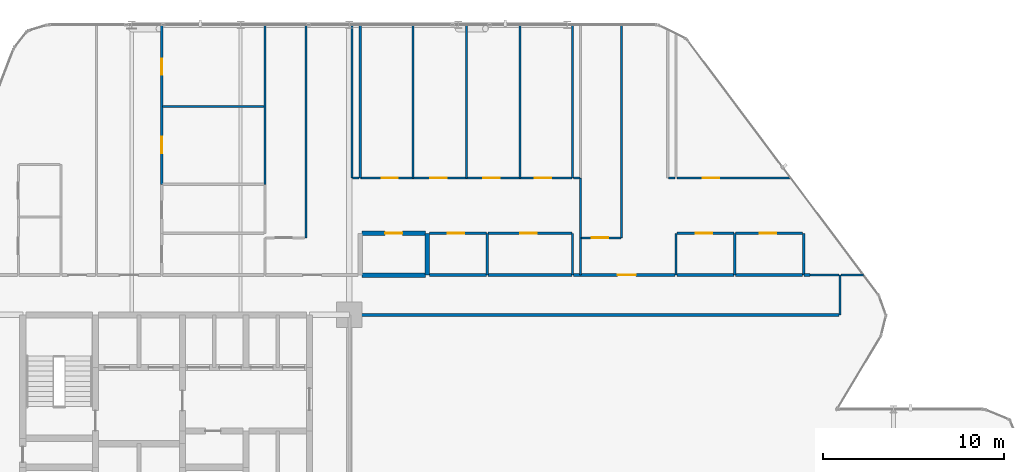
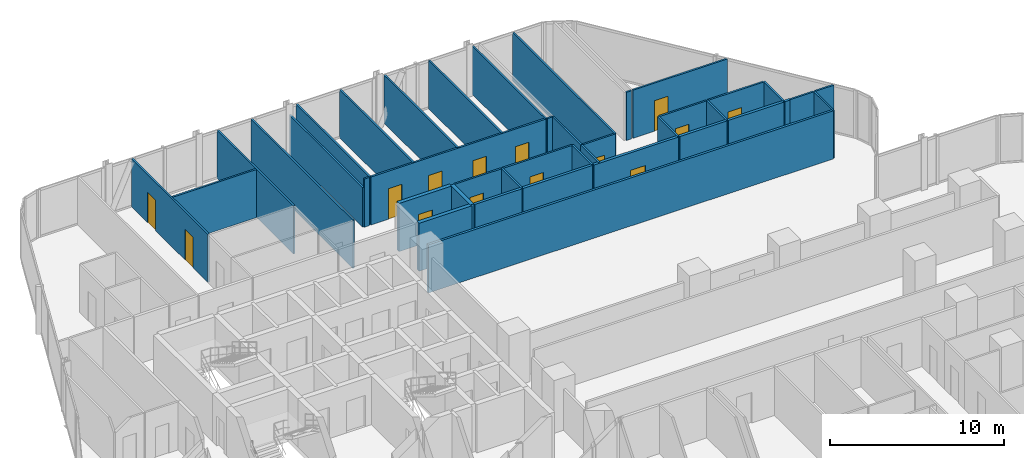
# One storey, part 32 of 35: 41 walls, 14 doors, 14 openings.
"""IFC4 building model written with IfcOpenShell, lengths in metres."""

from ifc_helpers import new_model, si_unit, direction, frame, frame_2d, origin, place, context, subcontext, project, spatial, rectangle, extrude, material, layer, layer_set, type_object, element, fill, save


model = new_model("IFC4")

# Units and contexts
model_context = context("Model", 3, precision=1e-05, world=origin(), true_north=direction((0.0, 1.0)))
body_context = subcontext(model_context, "Body", "Model", "MODEL_VIEW")
ifc_project = project(units=[si_unit("LENGTHUNIT", "METRE"), si_unit("AREAUNIT", "SQUARE_METRE"), si_unit("VOLUMEUNIT", "CUBIC_METRE"), si_unit("PLANEANGLEUNIT", "RADIAN"), si_unit("MASSUNIT", "GRAM", prefix="KILO")], contexts=[model_context])

# Site, building, storey
site_placement = place(None, origin())
site = spatial("IfcSite", under=ifc_project, at=site_placement, CompositionType="ELEMENT")
building_placement = place(site_placement, origin())
building = spatial("IfcBuilding", under=site, at=building_placement, Name="Keshet Zoharim Tower", CompositionType="ELEMENT")
storey_placement = place(building_placement, frame((0.0, 0.0, 24.0)))
storey = spatial("IfcBuildingStorey", under=building, at=storey_placement, Name="L04", CompositionType="ELEMENT", Elevation=24.0)

# Walls
ifc_material_1 = material(Name="Gypsum Plasterboard", Category="gypsum")
ifc_layer_1 = layer(ifc_material_1, 0.14990234375)
ifc_layer_set_1 = layer_set([ifc_layer_1], Name="Gypsum Plasterboard")
wall_type_1 = type_object("IfcWallType", Name="WL-CLIN-150", PredefinedType="STANDARD", material=ifc_layer_set_1)
wall_1_placement = place(storey_placement, frame((33.070068359375, 37.89990234375, 0.0), z_axis=(0.0, 0.0, 1.0), x_axis=(1.0, 0.0, 0.0)))
element("IfcWall", 1, at=wall_1_placement, inside=storey, type_object=wall_type_1, Name="L04 Interior Wall 200", PredefinedType="STANDARD", context=body_context, shape_type="SweptSolid", body=[
    extrude(rectangle(XDim=26.934814453125, YDim=0.14990234375, at=frame_2d((13.46728515625, 0.0))), origin(), (0.0, 0.0, 1.0), 3.385009765625),
])
ifc_layer_2 = layer(ifc_material_1, 0.179931640625)
ifc_layer_set_2 = layer_set([ifc_layer_2], Name="Gypsum Plasterboard")
wall_type_2 = type_object("IfcWallType", Name="WL-CORR-180", PredefinedType="STANDARD", material=ifc_layer_set_2)
wall_2_placement = place(storey_placement, frame((37.419921875, 40.10009765625, 0.0), z_axis=(0.0, 0.0, 1.0), x_axis=(1.0, 0.0, 0.0)))
element("IfcWall", 2, at=wall_2_placement, inside=storey, type_object=wall_type_2, Name="L04 Interior Wall 210", PredefinedType="STANDARD", context=body_context, shape_type="SweptSolid", body=[
    extrude(rectangle(XDim=3.129150390625, YDim=0.179931640625, at=frame_2d((1.564453125, 0.0))), origin(), (0.0, 0.0, 1.0), 3.385009765625),
])
wall_3_placement = place(storey_placement, frame((40.638916015625, 40.10009765625, 0.0), z_axis=(0.0, 0.0, 1.0), x_axis=(1.0, 0.0, 0.0)))
element("IfcWall", 3, at=wall_3_placement, inside=storey, type_object=wall_type_2, Name="L04 Interior Wall 211", PredefinedType="STANDARD", context=body_context, shape_type="SweptSolid", body=[
    extrude(rectangle(XDim=4.6259765625, YDim=0.179931640625, at=frame_2d((2.31298828125, 0.0))), origin(), (0.0, 0.0, 1.0), 3.385009765625),
])

# Wall, opening, door
wall_4_placement = place(storey_placement, frame((45.35498046875, 40.10009765625, 0.0), z_axis=(0.0, 0.0, 1.0), x_axis=(1.0, 0.0, 0.0)))
wall_4 = element("IfcWall", 4, at=wall_4_placement, inside=storey, type_object=wall_type_2, Name="L04 Interior Wall 212", PredefinedType="STANDARD", context=body_context, shape_type="SweptSolid", body=[
    extrude(rectangle(XDim=5.610107421875, YDim=0.179931640625, at=frame_2d((2.80517578125, 0.0))), origin(), (0.0, 0.0, 1.0), 3.385009765625),
])
opening_1_placement = place(wall_4_placement, frame((2.43505859375, 0.0, 0.0)))
opening_1 = element("IfcOpeningElement", 5, at=opening_1_placement, cuts=wall_4, Name="Opening D-F310", PredefinedType="OPENING", context=body_context, shape_type="SweptSolid", body=[
    extrude(rectangle(XDim=1.0, YDim=2.14990234375, at=frame_2d((0.5, 1.074951171875))), frame((0.0, 0.10009765625, 0.0), z_axis=(0.0, -1.0, 0.0), x_axis=(1.0, 0.0, 0.0)), (0.0, 0.0, 1.0), 0.199951171875),
])
ifc_material_2 = material(Name="Hardwood Timber", Category="wood")
door_type_1 = type_object("IfcDoorType", Name="DR-FD30-100", OperationType="NOTDEFINED", PredefinedType="DOOR", material=ifc_material_2)
door_1_placement = place(opening_1_placement, origin())
door_1 = element("IfcDoor", 6, at=door_1_placement, inside=storey, type_object=door_type_1, Name="Apartment 0410 Entrance Door", OperationType="SINGLE_SWING_RIGHT", OverallHeight=2.14990234375, OverallWidth=1.0, PredefinedType="DOOR", context=body_context, shape_type="SweptSolid", body=[
    extrude(rectangle(XDim=1.0, YDim=2.14990234375, at=frame_2d((0.5, 1.074951171875))), frame((0.0, 0.02490234375, 0.0), z_axis=(0.0, -1.0, 0.0), x_axis=(1.0, 0.0, 0.0)), (0.0, 0.0, 1.0), 0.050048828125),
])
fill(opening_1, door_1)

# Walls
wall_5_placement = place(storey_placement, frame((51.054931640625, 40.10009765625, 0.0), z_axis=(0.0, 0.0, 1.0), x_axis=(1.0, 0.0, 0.0)))
element("IfcWall", 7, at=wall_5_placement, inside=storey, type_object=wall_type_2, Name="L04 Interior Wall 213", PredefinedType="STANDARD", context=body_context, shape_type="SweptSolid", body=[
    extrude(rectangle(XDim=3.14306640625, YDim=0.179931640625, at=frame_2d((1.571533203125, 0.0))), origin(), (0.0, 0.0, 1.0), 3.385009765625),
])
wall_6_placement = place(storey_placement, frame((54.2880859375, 40.10009765625, 0.0), z_axis=(0.0, 0.0, 1.0), x_axis=(1.0, 0.0, 0.0)))
element("IfcWall", 8, at=wall_6_placement, inside=storey, type_object=wall_type_2, Name="L04 Interior Wall 214", PredefinedType="STANDARD", context=body_context, shape_type="SweptSolid", body=[
    extrude(rectangle(XDim=3.704833984375, YDim=0.179931640625, at=frame_2d((1.8525390625, 0.0))), origin(), (0.0, 0.0, 1.0), 3.385009765625),
])
wall_7_placement = place(storey_placement, frame((58.050048828125, 40.10009765625, 0.0), z_axis=(0.0, 0.0, 1.0), x_axis=(1.0, 0.0, 0.0)))
element("IfcWall", 9, at=wall_7_placement, inside=storey, type_object=wall_type_2, Name="L04 Interior Wall 215", PredefinedType="STANDARD", context=body_context, shape_type="SweptSolid", body=[
    extrude(rectangle(XDim=0.349853515625, YDim=0.179931640625, at=frame_2d((0.1748046875, 0.0))), origin(), (0.0, 0.0, 1.0), 3.385009765625),
])
ifc_material_3 = material(Name="Concrete C50/60", Category="concrete")
ifc_layer_3 = layer(ifc_material_3, 0.25)
ifc_layer_set_3 = layer_set([ifc_layer_3], Name="Concrete C50/60")
wall_type_3 = type_object("IfcWallType", Name="WL-MAMAD-250", PredefinedType="STANDARD", material=ifc_layer_set_3)
wall_8_placement = place(storey_placement, frame((37.300048828125, 40.10009765625, 0.0), z_axis=(0.0, 0.0, 1.0), x_axis=(0.0, 1.0, 0.0)))
element("IfcWall", 10, at=wall_8_placement, inside=storey, type_object=wall_type_3, Name="L04 Interior Wall 083", PredefinedType="STANDARD", context=body_context, shape_type="SweptSolid", body=[
    extrude(rectangle(XDim=2.2998046875, YDim=0.25, at=frame_2d((1.14990234375, 0.0))), origin(), (0.0, 0.0, 1.0), 3.385009765625),
])
wall_9_placement = place(storey_placement, frame((33.68994140625, 40.10009765625, 0.0), z_axis=(0.0, 0.0, 1.0), x_axis=(1.0, 0.0, 0.0)))
element("IfcWall", 11, at=wall_9_placement, inside=storey, type_object=wall_type_3, Name="L04 Interior Wall 209", PredefinedType="STANDARD", context=body_context, shape_type="SweptSolid", body=[
    extrude(rectangle(XDim=3.510009765625, YDim=0.25, at=frame_2d((1.7548828125, 0.0))), origin(), (0.0, 0.0, 1.0), 3.385009765625),
])

# Wall, opening, door
wall_10_placement = place(storey_placement, frame((33.68994140625, 42.39990234375, 0.0), z_axis=(0.0, 0.0, 1.0), x_axis=(1.0, 0.0, 0.0)))
wall_10 = element("IfcWall", 12, at=wall_10_placement, inside=storey, type_object=wall_type_3, Name="L04 Interior Wall 221", PredefinedType="STANDARD", context=body_context, shape_type="SweptSolid", body=[
    extrude(rectangle(XDim=3.510009765625, YDim=0.25, at=frame_2d((1.7548828125, 0.0))), origin(), (0.0, 0.0, 1.0), 3.385009765625),
])
opening_2_placement = place(wall_10_placement, frame((1.280029296875, 0.0, 0.0)))
opening_2 = element("IfcOpeningElement", 13, at=opening_2_placement, cuts=wall_10, Name="Opening D-F695", PredefinedType="OPENING", context=body_context, shape_type="SweptSolid", body=[
    extrude(rectangle(XDim=0.949951171875, YDim=2.14990234375, at=frame_2d((0.47509765625, 1.074951171875))), frame((0.0, 0.135009765625, 0.0), z_axis=(0.0, -1.0, 0.0), x_axis=(1.0, 0.0, 0.0)), (0.0, 0.0, 1.0), 0.27001953125),
])
door_type_2 = type_object("IfcDoorType", Name="DR-FD60-095", OperationType="NOTDEFINED", PredefinedType="DOOR", material=ifc_material_2)
door_2_placement = place(opening_2_placement, origin())
door_2 = element("IfcDoor", 14, at=door_2_placement, inside=storey, type_object=door_type_2, Name="Apartment 0409 Study and Shelter Room Door", OperationType="SINGLE_SWING_LEFT", OverallHeight=2.14990234375, OverallWidth=0.949951171875, PredefinedType="DOOR", context=body_context, shape_type="SweptSolid", body=[
    extrude(rectangle(XDim=0.949951171875, YDim=2.14990234375, at=frame_2d((0.47509765625, 1.074951171875))), frame((0.0, 0.02490234375, 0.0), z_axis=(0.0, -1.0, 0.0), x_axis=(1.0, 0.0, 0.0)), (0.0, 0.0, 1.0), 0.050048828125),
])
fill(opening_2, door_2)

# Wall, openings, doors
ifc_layer_4 = layer(ifc_material_1, 0.1201171875)
ifc_layer_set_4 = layer_set([ifc_layer_4], Name="Gypsum Plasterboard")
wall_type_4 = type_object("IfcWallType", Name="WL-PART-120", PredefinedType="PARTITIONING", material=ifc_layer_set_4)
wall_11_placement = place(storey_placement, frame((22.64990234375, 45.10009765625, 0.0), z_axis=(0.0, 0.0, 1.0), x_axis=(0.0, 1.0, 0.0)))
wall_11 = element("IfcWall", 15, at=wall_11_placement, inside=storey, type_object=wall_type_4, Name="L04 Interior Wall 036", PredefinedType="PARTITIONING", context=body_context, shape_type="SweptSolid", body=[
    extrude(rectangle(XDim=8.789794921875, YDim=0.1201171875, at=frame_2d((4.39501953125, 0.0))), origin(), (0.0, 0.0, 1.0), 3.385009765625),
])
opening_3_placement = place(wall_11_placement, frame((1.7119140625, 0.0, 0.0)))
opening_3 = element("IfcOpeningElement", 16, at=opening_3_placement, cuts=wall_11, Name="Opening D-IN90", PredefinedType="OPENING", context=body_context, shape_type="SweptSolid", body=[
    extrude(rectangle(XDim=0.89990234375, YDim=2.14990234375, at=frame_2d((0.449951171875, 1.074951171875))), frame((0.0, 0.070068359375, 0.0), z_axis=(0.0, -1.0, 0.0), x_axis=(1.0, 0.0, 0.0)), (0.0, 0.0, 1.0), 0.14013671875),
])
opening_4_placement = place(wall_11_placement, frame((6.030029296875, 0.0, 0.0)))
opening_4 = element("IfcOpeningElement", 17, at=opening_4_placement, cuts=wall_11, Name="Opening D-IN90", PredefinedType="OPENING", context=body_context, shape_type="SweptSolid", body=[
    extrude(rectangle(XDim=0.89990234375, YDim=2.14990234375, at=frame_2d((0.449951171875, 1.074951171875))), frame((0.0, 0.070068359375, 0.0), z_axis=(0.0, -1.0, 0.0), x_axis=(1.0, 0.0, 0.0)), (0.0, 0.0, 1.0), 0.14013671875),
])
door_type_3 = type_object("IfcDoorType", Name="DR-INT-090", OperationType="NOTDEFINED", PredefinedType="DOOR", material=ifc_material_2)
door_3_placement = place(opening_3_placement, origin())
door_3 = element("IfcDoor", 18, at=door_3_placement, inside=storey, type_object=door_type_3, Name="Apartment 0408 Bedroom 1 Door", OperationType="SINGLE_SWING_LEFT", OverallHeight=2.14990234375, OverallWidth=0.89990234375, PredefinedType="DOOR", context=body_context, shape_type="SweptSolid", body=[
    extrude(rectangle(XDim=0.89990234375, YDim=2.14990234375, at=frame_2d((0.449951171875, 1.074951171875))), frame((0.0, 0.02490234375, 0.0), z_axis=(0.0, -1.0, 0.0), x_axis=(1.0, 0.0, 0.0)), (0.0, 0.0, 1.0), 0.050048828125),
])
fill(opening_3, door_3)
door_4_placement = place(opening_4_placement, origin())
door_4 = element("IfcDoor", 19, at=door_4_placement, inside=storey, type_object=door_type_3, Name="Apartment 0408 Bedroom 2 Door", OperationType="SINGLE_SWING_RIGHT", OverallHeight=2.14990234375, OverallWidth=0.89990234375, PredefinedType="DOOR", context=body_context, shape_type="SweptSolid", body=[
    extrude(rectangle(XDim=0.89990234375, YDim=2.14990234375, at=frame_2d((0.449951171875, 1.074951171875))), frame((0.0, 0.02490234375, 0.0), z_axis=(0.0, -1.0, 0.0), x_axis=(1.0, 0.0, 0.0)), (0.0, 0.0, 1.0), 0.050048828125),
])
fill(opening_4, door_4)

# Walls
wall_12_placement = place(storey_placement, frame((28.35009765625, 45.10009765625, 0.0), z_axis=(0.0, 0.0, 1.0), x_axis=(0.0, 1.0, 0.0)))
element("IfcWall", 20, at=wall_12_placement, inside=storey, type_object=wall_type_4, Name="L04 Interior Wall 058", PredefinedType="PARTITIONING", context=body_context, shape_type="SweptSolid", body=[
    extrude(rectangle(XDim=8.789794921875, YDim=0.1201171875, at=frame_2d((4.39501953125, 0.0))), origin(), (0.0, 0.0, 1.0), 3.385009765625),
])
wall_13_placement = place(storey_placement, frame((30.60009765625, 42.14990234375, 0.0), z_axis=(0.0, 0.0, 1.0), x_axis=(0.0, 1.0, 0.0)))
element("IfcWall", 21, at=wall_13_placement, inside=storey, type_object=wall_type_4, Name="L04 Interior Wall 065", PredefinedType="PARTITIONING", context=body_context, shape_type="SweptSolid", body=[
    extrude(rectangle(XDim=11.739990234375, YDim=0.1201171875, at=frame_2d((5.8701171875, 0.0))), origin(), (0.0, 0.0, 1.0), 3.385009765625),
])
wall_14_placement = place(storey_placement, frame((33.14990234375, 45.449951171875, 0.0), z_axis=(0.0, 0.0, 1.0), x_axis=(0.0, 1.0, 0.0)))
element("IfcWall", 22, at=wall_14_placement, inside=storey, type_object=wall_type_4, Name="L04 Interior Wall 074", PredefinedType="PARTITIONING", context=body_context, shape_type="SweptSolid", body=[
    extrude(rectangle(XDim=8.43994140625, YDim=0.1201171875, at=frame_2d((4.219970703125, 0.0))), origin(), (0.0, 0.0, 1.0), 2.784912109375),
])
for number, where, z_axis, x_axis, name in (
    (23, (33.60009765625, 45.449951171875, 0.0), (0.0, 0.0, 1.0), (0.0, 1.0, 0.0), "L04 Interior Wall 077"),
    (24, (36.5, 45.449951171875, 0.0), (0.0, 0.0, 1.0), (0.0, 1.0, 0.0), "L04 Interior Wall 080"),
    (25, (39.449951171875, 45.449951171875, 0.0), (0.0, 0.0, 1.0), (0.0, 1.0, 0.0), "L04 Interior Wall 084"),
    (26, (42.39990234375, 45.449951171875, 0.0), (0.0, 0.0, 1.0), (0.0, 1.0, 0.0), "L04 Interior Wall 089"),
):
    element("IfcWall", number, at=place(storey_placement, frame(where, z_axis=z_axis, x_axis=x_axis)), inside=storey, type_object=wall_type_4, Name=name, PredefinedType="PARTITIONING", context=body_context, shape_type="SweptSolid", body=[
        extrude(rectangle(XDim=8.43994140625, YDim=0.1201171875, at=frame_2d((4.219970703125, 0.0))), origin(), (0.0, 0.0, 1.0), 3.385009765625),
    ])
wall_15_placement = place(storey_placement, frame((45.300048828125, 40.10009765625, 0.0), z_axis=(0.0, 0.0, 1.0), x_axis=(0.0, 1.0, 0.0)))
element("IfcWall", 27, at=wall_15_placement, inside=storey, type_object=wall_type_4, Name="L04 Interior Wall 093", PredefinedType="PARTITIONING", context=body_context, shape_type="SweptSolid", body=[
    extrude(rectangle(XDim=2.2998046875, YDim=0.1201171875, at=frame_2d((1.14990234375, 0.0))), origin(), (0.0, 0.0, 1.0), 3.385009765625),
])
wall_16_placement = place(storey_placement, frame((45.300048828125, 45.449951171875, 0.0), z_axis=(0.0, 0.0, 1.0), x_axis=(0.0, 1.0, 0.0)))
element("IfcWall", 28, at=wall_16_placement, inside=storey, type_object=wall_type_4, Name="L04 Interior Wall 094", PredefinedType="PARTITIONING", context=body_context, shape_type="SweptSolid", body=[
    extrude(rectangle(XDim=8.43994140625, YDim=0.1201171875, at=frame_2d((4.219970703125, 0.0))), origin(), (0.0, 0.0, 1.0), 3.385009765625),
])
wall_17_placement = place(storey_placement, frame((45.75, 40.10009765625, 0.0), z_axis=(0.0, 0.0, 1.0), x_axis=(0.0, 1.0, 0.0)))
element("IfcWall", 29, at=wall_17_placement, inside=storey, type_object=wall_type_4, Name="L04 Interior Wall 095", PredefinedType="PARTITIONING", context=body_context, shape_type="SweptSolid", body=[
    extrude(rectangle(XDim=2.0498046875, YDim=0.1201171875, at=frame_2d((1.02490234375, 0.0))), origin(), (0.0, 0.0, 1.0), 3.385009765625),
])
wall_18_placement = place(storey_placement, frame((45.75, 42.14990234375, 0.0), z_axis=(0.0, 0.0, 1.0), x_axis=(0.0, 1.0, 0.0)))
element("IfcWall", 30, at=wall_18_placement, inside=storey, type_object=wall_type_4, Name="L04 Interior Wall 096", PredefinedType="PARTITIONING", context=body_context, shape_type="SweptSolid", body=[
    extrude(rectangle(XDim=3.300048828125, YDim=0.1201171875, at=frame_2d((1.64990234375, 0.0))), origin(), (0.0, 0.0, 1.0), 3.385009765625),
])
wall_19_placement = place(storey_placement, frame((48.0, 42.14990234375, 0.0), z_axis=(0.0, 0.0, 1.0), x_axis=(0.0, 1.0, 0.0)))
element("IfcWall", 31, at=wall_19_placement, inside=storey, type_object=wall_type_4, Name="L04 Interior Wall 100", PredefinedType="PARTITIONING", context=body_context, shape_type="SweptSolid", body=[
    extrude(rectangle(XDim=11.739990234375, YDim=0.1201171875, at=frame_2d((5.8701171875, 0.0))), origin(), (0.0, 0.0, 1.0), 3.385009765625),
])
wall_20_placement = place(storey_placement, frame((51.0, 40.10009765625, 0.0), z_axis=(0.0, 0.0, 1.0), x_axis=(0.0, 1.0, 0.0)))
element("IfcWall", 32, at=wall_20_placement, inside=storey, type_object=wall_type_4, Name="L04 Interior Wall 105", PredefinedType="PARTITIONING", context=body_context, shape_type="SweptSolid", body=[
    extrude(rectangle(XDim=2.2998046875, YDim=0.1201171875, at=frame_2d((1.14990234375, 0.0))), origin(), (0.0, 0.0, 1.0), 3.385009765625),
])
wall_21_placement = place(storey_placement, frame((60.050048828125, 37.889892578125, 0.0), z_axis=(0.0, 0.0, 1.0), x_axis=(0.0, 1.0, 0.0)))
element("IfcWall", 33, at=wall_21_placement, inside=storey, type_object=wall_type_4, Name="L04 Interior Wall 112", PredefinedType="PARTITIONING", context=body_context, shape_type="SweptSolid", body=[
    extrude(rectangle(XDim=2.2001953125, YDim=0.1201171875, at=frame_2d((1.10009765625, 0.0))), origin(), (0.0, 0.0, 1.0), 3.385009765625),
])
wall_22_placement = place(storey_placement, frame((58.39990234375, 40.10009765625, 0.0), z_axis=(0.0, 0.0, 1.0), x_axis=(1.0, 0.0, 0.0)))
element("IfcWall", 34, at=wall_22_placement, inside=storey, type_object=wall_type_4, Name="L04 Interior Wall 216", PredefinedType="PARTITIONING", context=body_context, shape_type="SweptSolid", body=[
    extrude(rectangle(XDim=1.60498046875, YDim=0.1201171875, at=frame_2d((0.802490234375, 0.0))), origin(), (0.0, 0.0, 1.0), 3.385009765625),
])
wall_23_placement = place(storey_placement, frame((60.094970703125, 40.10009765625, 0.0), z_axis=(0.0, 0.0, 1.0), x_axis=(1.0, 0.0, 0.0)))
element("IfcWall", 35, at=wall_23_placement, inside=storey, type_object=wall_type_4, Name="L04 Interior Wall 217", PredefinedType="PARTITIONING", context=body_context, shape_type="SweptSolid", body=[
    extrude(rectangle(XDim=1.2451171875, YDim=0.1201171875, at=frame_2d((0.62255859375, 0.0))), origin(), (0.0, 0.0, 1.0), 3.385009765625),
])

# Wall, opening, door
wall_24_placement = place(storey_placement, frame((45.804931640625, 42.14990234375, 0.0), z_axis=(0.0, 0.0, 1.0), x_axis=(1.0, 0.0, 0.0)))
wall_24 = element("IfcWall", 36, at=wall_24_placement, inside=storey, type_object=wall_type_4, Name="L04 Interior Wall 219", PredefinedType="PARTITIONING", context=body_context, shape_type="SweptSolid", body=[
    extrude(rectangle(XDim=2.16015625, YDim=0.1201171875, at=frame_2d((1.080078125, 0.0))), origin(), (0.0, 0.0, 1.0), 3.385009765625),
])
opening_5_placement = place(wall_24_placement, frame((0.552978515625, 0.0, 0.0)))
opening_5 = element("IfcOpeningElement", 37, at=opening_5_placement, cuts=wall_24, Name="Opening D-IN90", PredefinedType="OPENING", context=body_context, shape_type="SweptSolid", body=[
    extrude(rectangle(XDim=0.89990234375, YDim=2.14990234375, at=frame_2d((0.449951171875, 1.074951171875))), frame((0.0, 0.070068359375, 0.0), z_axis=(0.0, -1.0, 0.0), x_axis=(1.0, 0.0, 0.0)), (0.0, 0.0, 1.0), 0.14013671875),
])
door_5_placement = place(opening_5_placement, origin())
door_5 = element("IfcDoor", 38, at=door_5_placement, inside=storey, type_object=door_type_3, Name="Apartment 0410 Formal Dining Room Door", OperationType="SINGLE_SWING_RIGHT", OverallHeight=2.14990234375, OverallWidth=0.89990234375, PredefinedType="DOOR", context=body_context, shape_type="SweptSolid", body=[
    extrude(rectangle(XDim=0.89990234375, YDim=2.14990234375, at=frame_2d((0.449951171875, 1.074951171875))), frame((0.0, 0.02490234375, 0.0), z_axis=(0.0, -1.0, 0.0), x_axis=(1.0, 0.0, 0.0)), (0.0, 0.0, 1.0), 0.050048828125),
])
fill(opening_5, door_5)

wall_25_placement = place(storey_placement, frame((40.638916015625, 42.39990234375, 0.0), z_axis=(0.0, 0.0, 1.0), x_axis=(1.0, 0.0, 0.0)))
wall_25 = element("IfcWall", 39, at=wall_25_placement, inside=storey, type_object=wall_type_4, Name="L04 Interior Wall 223", PredefinedType="PARTITIONING", context=body_context, shape_type="SweptSolid", body=[
    extrude(rectangle(XDim=4.6259765625, YDim=0.1201171875, at=frame_2d((2.31298828125, 0.0))), origin(), (0.0, 0.0, 1.0), 3.385009765625),
])
opening_6_placement = place(wall_25_placement, frame((1.791015625, 0.0, 0.0)))
opening_6 = element("IfcOpeningElement", 40, at=opening_6_placement, cuts=wall_25, Name="Opening D-IN90", PredefinedType="OPENING", context=body_context, shape_type="SweptSolid", body=[
    extrude(rectangle(XDim=0.89990234375, YDim=2.14990234375, at=frame_2d((0.449951171875, 1.074951171875))), frame((0.0, 0.070068359375, 0.0), z_axis=(0.0, -1.0, 0.0), x_axis=(1.0, 0.0, 0.0)), (0.0, 0.0, 1.0), 0.14013671875),
])
door_6_placement = place(opening_6_placement, origin())
door_6 = element("IfcDoor", 41, at=door_6_placement, inside=storey, type_object=door_type_3, Name="Apartment 0409 Kitchen Door", OperationType="SINGLE_SWING_LEFT", OverallHeight=2.14990234375, OverallWidth=0.89990234375, PredefinedType="DOOR", context=body_context, shape_type="SweptSolid", body=[
    extrude(rectangle(XDim=0.89990234375, YDim=2.14990234375, at=frame_2d((0.449951171875, 1.074951171875))), frame((0.0, 0.02490234375, 0.0), z_axis=(0.0, -1.0, 0.0), x_axis=(1.0, 0.0, 0.0)), (0.0, 0.0, 1.0), 0.050048828125),
])
fill(opening_6, door_6)

wall_26_placement = place(storey_placement, frame((51.054931640625, 42.39990234375, 0.0), z_axis=(0.0, 0.0, 1.0), x_axis=(1.0, 0.0, 0.0)))
wall_26 = element("IfcWall", 42, at=wall_26_placement, inside=storey, type_object=wall_type_4, Name="L04 Interior Wall 224", PredefinedType="PARTITIONING", context=body_context, shape_type="SweptSolid", body=[
    extrude(rectangle(XDim=3.14306640625, YDim=0.1201171875, at=frame_2d((1.571533203125, 0.0))), origin(), (0.0, 0.0, 1.0), 3.385009765625),
])
opening_7_placement = place(wall_26_placement, frame((1.051025390625, 0.0, 0.0)))
opening_7 = element("IfcOpeningElement", 43, at=opening_7_placement, cuts=wall_26, Name="Opening D-IN90", PredefinedType="OPENING", context=body_context, shape_type="SweptSolid", body=[
    extrude(rectangle(XDim=0.89990234375, YDim=2.14990234375, at=frame_2d((0.449951171875, 1.074951171875))), frame((0.0, 0.070068359375, 0.0), z_axis=(0.0, -1.0, 0.0), x_axis=(1.0, 0.0, 0.0)), (0.0, 0.0, 1.0), 0.14013671875),
])
door_7_placement = place(opening_7_placement, origin())
door_7 = element("IfcDoor", 44, at=door_7_placement, inside=storey, type_object=door_type_3, Name="Apartment 0410 Kitchen Door", OperationType="SINGLE_SWING_RIGHT", OverallHeight=2.14990234375, OverallWidth=0.89990234375, PredefinedType="DOOR", context=body_context, shape_type="SweptSolid", body=[
    extrude(rectangle(XDim=0.89990234375, YDim=2.14990234375, at=frame_2d((0.449951171875, 1.074951171875))), frame((0.0, 0.02490234375, 0.0), z_axis=(0.0, -1.0, 0.0), x_axis=(1.0, 0.0, 0.0)), (0.0, 0.0, 1.0), 0.050048828125),
])
fill(opening_7, door_7)

# Wall
wall_27_placement = place(storey_placement, frame((33.175048828125, 45.449951171875, 0.0), z_axis=(0.0, 0.0, 1.0), x_axis=(1.0, 0.0, 0.0)))
element("IfcWall", 45, at=wall_27_placement, inside=storey, type_object=wall_type_4, Name="L04 Interior Wall 228", PredefinedType="PARTITIONING", context=body_context, shape_type="SweptSolid", body=[
    extrude(rectangle(XDim=0.35986328125, YDim=0.1201171875, at=frame_2d((0.179931640625, 0.0))), origin(), (0.0, 0.0, 1.0), 3.385009765625),
])

# Wall, openings, doors
wall_28_placement = place(storey_placement, frame((33.625, 45.449951171875, 0.0), z_axis=(0.0, 0.0, 1.0), x_axis=(1.0, 0.0, 0.0)))
wall_28 = element("IfcWall", 46, at=wall_28_placement, inside=storey, type_object=wall_type_4, Name="L04 Interior Wall 229", PredefinedType="PARTITIONING", context=body_context, shape_type="SweptSolid", body=[
    extrude(rectangle(XDim=11.639892578125, YDim=0.1201171875, at=frame_2d((5.81982421875, 0.0))), origin(), (0.0, 0.0, 1.0), 3.385009765625),
])
opening_8_placement = place(wall_28_placement, frame((1.14599609375, 0.0, 0.0)))
opening_8 = element("IfcOpeningElement", 47, at=opening_8_placement, cuts=wall_28, Name="Opening D-IN90", PredefinedType="OPENING", context=body_context, shape_type="SweptSolid", body=[
    extrude(rectangle(XDim=0.89990234375, YDim=2.14990234375, at=frame_2d((0.449951171875, 1.074951171875))), frame((0.0, 0.070068359375, 0.0), z_axis=(0.0, -1.0, 0.0), x_axis=(1.0, 0.0, 0.0)), (0.0, 0.0, 1.0), 0.14013671875),
])
opening_9_placement = place(wall_28_placement, frame((3.833984375, 0.0, 0.0)))
opening_9 = element("IfcOpeningElement", 48, at=opening_9_placement, cuts=wall_28, Name="Opening D-IN90", PredefinedType="OPENING", context=body_context, shape_type="SweptSolid", body=[
    extrude(rectangle(XDim=0.89990234375, YDim=2.14990234375, at=frame_2d((0.449951171875, 1.074951171875))), frame((0.0, 0.070068359375, 0.0), z_axis=(0.0, -1.0, 0.0), x_axis=(1.0, 0.0, 0.0)), (0.0, 0.0, 1.0), 0.14013671875),
])
opening_10_placement = place(wall_28_placement, frame((6.76611328125, 0.0, 0.0)))
opening_10 = element("IfcOpeningElement", 49, at=opening_10_placement, cuts=wall_28, Name="Opening D-IN90", PredefinedType="OPENING", context=body_context, shape_type="SweptSolid", body=[
    extrude(rectangle(XDim=0.89990234375, YDim=2.14990234375, at=frame_2d((0.449951171875, 1.074951171875))), frame((0.0, 0.070068359375, 0.0), z_axis=(0.0, -1.0, 0.0), x_axis=(1.0, 0.0, 0.0)), (0.0, 0.0, 1.0), 0.14013671875),
])
opening_11_placement = place(wall_28_placement, frame((9.593994140625, 0.0, 0.0)))
opening_11 = element("IfcOpeningElement", 50, at=opening_11_placement, cuts=wall_28, Name="Opening D-IN90", PredefinedType="OPENING", context=body_context, shape_type="SweptSolid", body=[
    extrude(rectangle(XDim=0.89990234375, YDim=2.14990234375, at=frame_2d((0.449951171875, 1.074951171875))), frame((0.0, 0.070068359375, 0.0), z_axis=(0.0, -1.0, 0.0), x_axis=(1.0, 0.0, 0.0)), (0.0, 0.0, 1.0), 0.14013671875),
])
door_8_placement = place(opening_8_placement, origin())
door_8 = element("IfcDoor", 51, at=door_8_placement, inside=storey, type_object=door_type_3, Name="Apartment 0409 Bedroom 1 Door", OperationType="SINGLE_SWING_RIGHT", OverallHeight=2.14990234375, OverallWidth=0.89990234375, PredefinedType="DOOR", context=body_context, shape_type="SweptSolid", body=[
    extrude(rectangle(XDim=0.89990234375, YDim=2.14990234375, at=frame_2d((0.449951171875, 1.074951171875))), frame((0.0, 0.02490234375, 0.0), z_axis=(0.0, -1.0, 0.0), x_axis=(1.0, 0.0, 0.0)), (0.0, 0.0, 1.0), 0.050048828125),
])
fill(opening_8, door_8)
door_9_placement = place(opening_9_placement, origin())
door_9 = element("IfcDoor", 52, at=door_9_placement, inside=storey, type_object=door_type_3, Name="Apartment 0409 Bedroom 2 Door", OperationType="SINGLE_SWING_LEFT", OverallHeight=2.14990234375, OverallWidth=0.89990234375, PredefinedType="DOOR", context=body_context, shape_type="SweptSolid", body=[
    extrude(rectangle(XDim=0.89990234375, YDim=2.14990234375, at=frame_2d((0.449951171875, 1.074951171875))), frame((0.0, 0.02490234375, 0.0), z_axis=(0.0, -1.0, 0.0), x_axis=(1.0, 0.0, 0.0)), (0.0, 0.0, 1.0), 0.050048828125),
])
fill(opening_9, door_9)
door_10_placement = place(opening_10_placement, origin())
door_10 = element("IfcDoor", 53, at=door_10_placement, inside=storey, type_object=door_type_3, Name="Apartment 0409 Bedroom 3 Door", OperationType="SINGLE_SWING_RIGHT", OverallHeight=2.14990234375, OverallWidth=0.89990234375, PredefinedType="DOOR", context=body_context, shape_type="SweptSolid", body=[
    extrude(rectangle(XDim=0.89990234375, YDim=2.14990234375, at=frame_2d((0.449951171875, 1.074951171875))), frame((0.0, 0.02490234375, 0.0), z_axis=(0.0, -1.0, 0.0), x_axis=(1.0, 0.0, 0.0)), (0.0, 0.0, 1.0), 0.050048828125),
])
fill(opening_10, door_10)
door_11_placement = place(opening_11_placement, origin())
door_11 = element("IfcDoor", 54, at=door_11_placement, inside=storey, type_object=door_type_3, Name="Apartment 0409 Bedroom 4 Door", OperationType="SINGLE_SWING_LEFT", OverallHeight=2.14990234375, OverallWidth=0.89990234375, PredefinedType="DOOR", context=body_context, shape_type="SweptSolid", body=[
    extrude(rectangle(XDim=0.89990234375, YDim=2.14990234375, at=frame_2d((0.449951171875, 1.074951171875))), frame((0.0, 0.02490234375, 0.0), z_axis=(0.0, -1.0, 0.0), x_axis=(1.0, 0.0, 0.0)), (0.0, 0.0, 1.0), 0.050048828125),
])
fill(opening_11, door_11)

# Walls
for number, where, z_axis, x_axis, name in (
    (55, (45.35498046875, 45.449951171875, 0.0), (0.0, 0.0, 1.0), (1.0, 0.0, 0.0), "L04 Interior Wall 230"),
    (56, (50.60498046875, 45.449951171875, 0.0), (0.0, 0.0, 1.0), (1.0, 0.0, 0.0), "L04 Interior Wall 231"),
):
    element("IfcWall", number, at=place(storey_placement, frame(where, z_axis=z_axis, x_axis=x_axis)), inside=storey, type_object=wall_type_4, Name=name, PredefinedType="PARTITIONING", context=body_context, shape_type="SweptSolid", body=[
        extrude(rectangle(XDim=0.360107421875, YDim=0.1201171875, at=frame_2d((0.18017578125, 0.0))), origin(), (0.0, 0.0, 1.0), 3.385009765625),
    ])

# Wall, opening, door
wall_29_placement = place(storey_placement, frame((51.054931640625, 45.449951171875, 0.0), z_axis=(0.0, 0.0, 1.0), x_axis=(1.0, 0.0, 0.0)))
wall_29 = element("IfcWall", 57, at=wall_29_placement, inside=storey, type_object=wall_type_4, Name="L04 Interior Wall 232", PredefinedType="PARTITIONING", context=body_context, shape_type="SweptSolid", body=[
    extrude(rectangle(XDim=6.27294921875, YDim=0.1201171875, at=frame_2d((3.136474609375, 0.0))), origin(), (0.0, 0.0, 1.0), 3.385009765625),
])
opening_12_placement = place(wall_29_placement, frame((1.43701171875, 0.0, 0.0)))
opening_12 = element("IfcOpeningElement", 58, at=opening_12_placement, cuts=wall_29, Name="Opening D-IN90", PredefinedType="OPENING", context=body_context, shape_type="SweptSolid", body=[
    extrude(rectangle(XDim=0.89990234375, YDim=2.14990234375, at=frame_2d((0.449951171875, 1.074951171875))), frame((0.0, 0.070068359375, 0.0), z_axis=(0.0, -1.0, 0.0), x_axis=(1.0, 0.0, 0.0)), (0.0, 0.0, 1.0), 0.14013671875),
])
door_12_placement = place(opening_12_placement, origin())
door_12 = element("IfcDoor", 59, at=door_12_placement, inside=storey, type_object=door_type_3, Name="Apartment 0410 Bedroom 1 Door", OperationType="SINGLE_SWING_RIGHT", OverallHeight=2.14990234375, OverallWidth=0.89990234375, PredefinedType="DOOR", context=body_context, shape_type="SweptSolid", body=[
    extrude(rectangle(XDim=0.89990234375, YDim=2.14990234375, at=frame_2d((0.449951171875, 1.074951171875))), frame((0.0, 0.02490234375, 0.0), z_axis=(0.0, -1.0, 0.0), x_axis=(1.0, 0.0, 0.0)), (0.0, 0.0, 1.0), 0.050048828125),
])
fill(opening_12, door_12)

# Walls
wall_30_placement = place(storey_placement, frame((22.695068359375, 49.39990234375, 0.0), z_axis=(0.0, 0.0, 1.0), x_axis=(1.0, 0.0, 0.0)))
element("IfcWall", 60, at=wall_30_placement, inside=storey, type_object=wall_type_4, Name="L04 Interior Wall 234", PredefinedType="PARTITIONING", context=body_context, shape_type="SweptSolid", body=[
    extrude(rectangle(XDim=5.58984375, YDim=0.1201171875, at=frame_2d((2.794921875, 0.0))), origin(), (0.0, 0.0, 1.0), 3.385009765625),
])
ifc_layer_5 = layer(ifc_material_1, 0.1201171875)
ifc_layer_set_5 = layer_set([ifc_layer_5], Name="Gypsum Plasterboard")
wall_type_5 = type_object("IfcWallType", Name="WL-WET-120", PredefinedType="PARTITIONING", material=ifc_layer_set_5)
for number, where, z_axis, x_axis, name in (
    (61, (40.60009765625, 40.10009765625, 0.0), (0.0, 0.0, 1.0), (0.0, 1.0, 0.0), "L04 Interior Wall 088"),
    (62, (54.25, 40.10009765625, 0.0), (0.0, 0.0, 1.0), (0.0, 1.0, 0.0), "L04 Interior Wall 110"),
    (63, (58.050048828125, 40.10009765625, 0.0), (0.0, 0.0, 1.0), (0.0, 1.0, 0.0), "L04 Interior Wall 111"),
):
    element("IfcWall", number, at=place(storey_placement, frame(where, z_axis=z_axis, x_axis=x_axis)), inside=storey, type_object=wall_type_5, Name=name, PredefinedType="PARTITIONING", context=body_context, shape_type="SweptSolid", body=[
        extrude(rectangle(XDim=2.2998046875, YDim=0.1201171875, at=frame_2d((1.14990234375, 0.0))), origin(), (0.0, 0.0, 1.0), 3.385009765625),
    ])

# Wall, opening, door
wall_31_placement = place(storey_placement, frame((37.419921875, 42.39990234375, 0.0), z_axis=(0.0, 0.0, 1.0), x_axis=(1.0, 0.0, 0.0)))
wall_31 = element("IfcWall", 64, at=wall_31_placement, inside=storey, type_object=wall_type_5, Name="L04 Interior Wall 222", PredefinedType="PARTITIONING", context=body_context, shape_type="SweptSolid", body=[
    extrude(rectangle(XDim=3.129150390625, YDim=0.1201171875, at=frame_2d((1.564453125, 0.0))), origin(), (0.0, 0.0, 1.0), 3.385009765625),
])
opening_13_placement = place(wall_31_placement, frame((1.010009765625, 0.0, 0.0)))
opening_13 = element("IfcOpeningElement", 65, at=opening_13_placement, cuts=wall_31, Name="Opening D-WT90", PredefinedType="OPENING", context=body_context, shape_type="SweptSolid", body=[
    extrude(rectangle(XDim=0.89990234375, YDim=2.10009765625, at=frame_2d((0.449951171875, 1.050048828125))), frame((0.0, 0.070068359375, 0.0), z_axis=(0.0, -1.0, 0.0), x_axis=(1.0, 0.0, 0.0)), (0.0, 0.0, 1.0), 0.14013671875),
])
door_type_4 = type_object("IfcDoorType", Name="DR-WET-090", OperationType="NOTDEFINED", PredefinedType="DOOR", material=ifc_material_2)
door_13_placement = place(opening_13_placement, origin())
door_13 = element("IfcDoor", 66, at=door_13_placement, inside=storey, type_object=door_type_4, Name="Apartment 0409 Bathroom Door", OperationType="SINGLE_SWING_RIGHT", OverallHeight=2.10009765625, OverallWidth=0.89990234375, PredefinedType="DOOR", context=body_context, shape_type="SweptSolid", body=[
    extrude(rectangle(XDim=0.89990234375, YDim=2.10009765625, at=frame_2d((0.449951171875, 1.050048828125))), frame((0.0, 0.02490234375, 0.0), z_axis=(0.0, -1.0, 0.0), x_axis=(1.0, 0.0, 0.0)), (0.0, 0.0, 1.0), 0.050048828125),
])
fill(opening_13, door_13)

wall_32_placement = place(storey_placement, frame((54.2880859375, 42.39990234375, 0.0), z_axis=(0.0, 0.0, 1.0), x_axis=(1.0, 0.0, 0.0)))
wall_32 = element("IfcWall", 67, at=wall_32_placement, inside=storey, type_object=wall_type_5, Name="L04 Interior Wall 225", PredefinedType="PARTITIONING", context=body_context, shape_type="SweptSolid", body=[
    extrude(rectangle(XDim=3.704833984375, YDim=0.1201171875, at=frame_2d((1.8525390625, 0.0))), origin(), (0.0, 0.0, 1.0), 3.385009765625),
])
opening_14_placement = place(wall_32_placement, frame((1.33203125, 0.0, 0.0)))
opening_14 = element("IfcOpeningElement", 68, at=opening_14_placement, cuts=wall_32, Name="Opening D-WT90", PredefinedType="OPENING", context=body_context, shape_type="SweptSolid", body=[
    extrude(rectangle(XDim=0.89990234375, YDim=2.10009765625, at=frame_2d((0.449951171875, 1.050048828125))), frame((0.0, 0.070068359375, 0.0), z_axis=(0.0, -1.0, 0.0), x_axis=(1.0, 0.0, 0.0)), (0.0, 0.0, 1.0), 0.14013671875),
])
door_14_placement = place(opening_14_placement, origin())
door_14 = element("IfcDoor", 69, at=door_14_placement, inside=storey, type_object=door_type_4, Name="Apartment 0410 Bathroom Door", OperationType="SINGLE_SWING_LEFT", OverallHeight=2.10009765625, OverallWidth=0.89990234375, PredefinedType="DOOR", context=body_context, shape_type="SweptSolid", body=[
    extrude(rectangle(XDim=0.89990234375, YDim=2.10009765625, at=frame_2d((0.449951171875, 1.050048828125))), frame((0.0, 0.02490234375, 0.0), z_axis=(0.0, -1.0, 0.0), x_axis=(1.0, 0.0, 0.0)), (0.0, 0.0, 1.0), 0.050048828125),
])
fill(opening_14, door_14)

save(model, "model.ifc")
